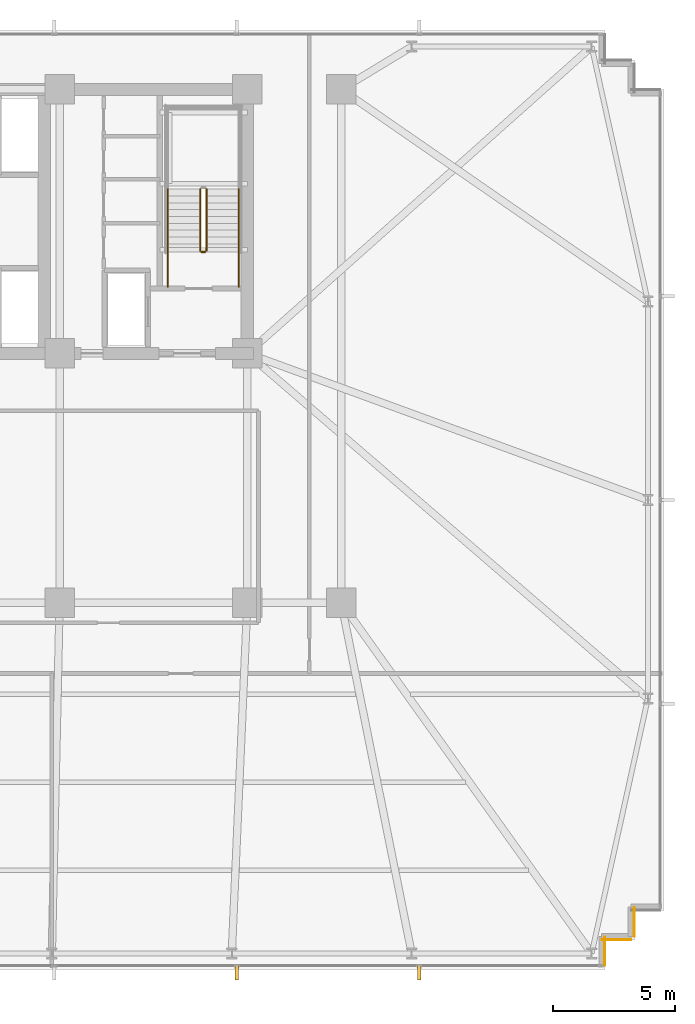
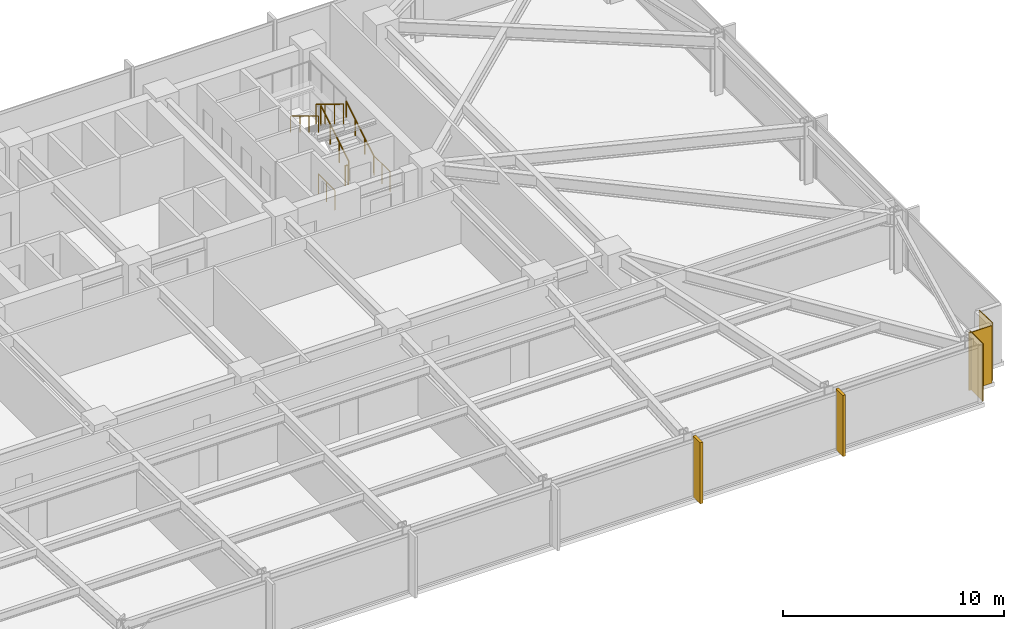
# One storey, part 29 of 32: 7 railings, 3 coverings, 2 shading devices.
"""IFC4 building model written with IfcOpenShell, lengths in metres."""

from ifc_helpers import new_model, si_unit, direction, frame, frame_2d, origin, origin_2d, place, context, subcontext, project, spatial, rectangle, circle, extrude, material, layer, layer_set, type_object, element, save


model = new_model("IFC4")

# Units and contexts
model_context = context("Model", 3, precision=1e-05, world=origin(), true_north=direction((0.0, 1.0)))
body_context = subcontext(model_context, "Body", "Model", "MODEL_VIEW")
ifc_project = project(units=[si_unit("LENGTHUNIT", "METRE"), si_unit("AREAUNIT", "SQUARE_METRE"), si_unit("VOLUMEUNIT", "CUBIC_METRE"), si_unit("PLANEANGLEUNIT", "RADIAN"), si_unit("MASSUNIT", "GRAM", prefix="KILO")], contexts=[model_context])

# Site, building, storey
site_placement = place(None, origin())
site = spatial("IfcSite", under=ifc_project, at=site_placement, CompositionType="ELEMENT")
building_placement = place(site_placement, origin())
building = spatial("IfcBuilding", under=site, at=building_placement, Name="Yelkora Congress Tower", CompositionType="ELEMENT")
storey_placement = place(building_placement, frame((0.0, 0.0, 50.800048828125)))
storey = spatial("IfcBuildingStorey", under=building, at=storey_placement, Name="L12", CompositionType="ELEMENT", Elevation=50.800048828125)

# Coverings
ifc_material_1 = material(Name="Anatolian bush-hammered limestone", Category="masonry")
ifc_layer_1 = layer(ifc_material_1, 0.0400390625)
ifc_layer_set_1 = layer_set([ifc_layer_1], Name="Anatolian bush-hammered limestone")
covering_type = type_object("IfcCoveringType", Name="COV-CLAD-SPANDREL-40", PredefinedType="CLADDING", material=ifc_layer_set_1)
for number, where, z_axis, x_axis, name in (
    (1, (69.594970703125, 12.739990234375, 0.0), (0.0, 0.0, 1.0), (0.0, -1.0, 0.0), "L12 Anatolian Limestone Cladding EW-L12-SR17"),
    (2, (69.4599609375, 11.405029296875, 0.0), (0.0, 0.0, 1.0), (-1.0, 0.0, 0.0), "L12 Anatolian Limestone Cladding EW-L12-SR18"),
    (3, (68.39501953125, 11.5400390625, 0.0), (0.0, 0.0, 1.0), (0.0, -1.0, 0.0), "L12 Anatolian Limestone Cladding EW-L12-SR19"),
):
    element("IfcCovering", number, at=place(storey_placement, frame(where, z_axis=z_axis, x_axis=x_axis)), inside=storey, type_object=covering_type, Name=name, PredefinedType="CLADDING", context=body_context, shape_type="SweptSolid", body=[
        extrude(rectangle(XDim=1.199951171875, YDim=0.0400390625, at=frame_2d((0.60009765625, 0.0))), origin(), (0.0, 0.0, 1.0), 3.179931640625),
    ])

# Railings
ifc_material_2 = material(Name="Painted galvanised steel stair well guard with vertical infill", Category="steel")
ifc_layer_2 = layer(ifc_material_2, 0.06005859375)
ifc_layer_set_2 = layer_set([ifc_layer_2], Name="Painted galvanised steel stair well guard with vertical infill")
railing_type_1 = type_object("IfcRailingType", Name="RAIL-STAIR-GUARD-1120", PredefinedType="GUARDRAIL", material=ifc_layer_set_2)
railing_1_placement = place(storey_placement, frame((52.090087890625, 39.60009765625, 0.169921875)))
element("IfcRailing", 4, at=railing_1_placement, inside=storey, type_object=railing_type_1, Name="ST-02 L12 Stair Well Guardrail 1", PredefinedType="GUARDRAIL", context=body_context, shape_type="SweptSolid", body=[
    extrude(circle(Radius=0.02392578125, at=origin_2d()), frame((0.0, 0.0, 1.09619140625), z_axis=(0.0, 0.85478489116, 0.518982456201), x_axis=(-1.0, 0.0, 0.0)), (0.0, 0.0, 1.0), 2.9482421875),
    extrude(circle(Radius=0.02099609375, at=origin_2d()), origin(), (0.0, 0.0, 1.0), 1.072021484375),
    extrude(circle(Radius=0.02099609375, at=origin_2d()), frame((0.0, 0.840087890625, 0.510009765625)), (0.0, 0.0, 1.0), 1.072021484375),
    extrude(circle(Radius=0.02099609375, at=origin_2d()), frame((0.0, 1.679931640625, 1.02001953125)), (0.0, 0.0, 1.0), 1.072021484375),
    extrude(circle(Radius=0.02099609375, at=origin_2d()), frame((0.0, 2.52001953125, 1.530029296875)), (0.0, 0.0, 1.0), 1.072021484375),
])
railing_2_placement = place(storey_placement, frame((51.830078125, 42.1201171875, 1.869873046875)))
element("IfcRailing", 5, at=railing_2_placement, inside=storey, type_object=railing_type_1, Name="ST-02 L12 Stair Well Guardrail 6", PredefinedType="GUARDRAIL", context=body_context, shape_type="SweptSolid", body=[
    extrude(circle(Radius=0.02392578125, at=origin_2d()), frame((0.0, 0.0, 1.09619140625), z_axis=(0.0, -0.85478489116, 0.518982456201), x_axis=(1.0, 0.0, 0.0)), (0.0, 0.0, 1.0), 2.9482421875),
    extrude(circle(Radius=0.02099609375, at=origin_2d()), origin(), (0.0, 0.0, 1.0), 1.072021484375),
    extrude(circle(Radius=0.02099609375, at=origin_2d()), frame((0.0, -0.840087890625, 0.510009765625)), (0.0, 0.0, 1.0), 1.072021484375),
    extrude(circle(Radius=0.02099609375, at=origin_2d()), frame((0.0, -1.679931640625, 1.02001953125)), (0.0, 0.0, 1.0), 1.072021484375),
    extrude(circle(Radius=0.02099609375, at=origin_2d()), frame((0.0, -2.52001953125, 1.530029296875)), (0.0, 0.0, 1.0), 1.072021484375),
])
railing_3_placement = place(storey_placement, frame((52.0400390625, 39.550048828125, 0.0)))
element("IfcRailing", 6, at=railing_3_placement, inside=storey, type_object=railing_type_1, Name="ST-02 L12 Stair Well Guardrail 7", PredefinedType="GUARDRAIL", context=body_context, shape_type="SweptSolid", body=[
    extrude(circle(Radius=0.02392578125, at=origin_2d()), frame((0.0, 0.0, 1.09619140625), z_axis=(-1.0, 0.0, 0.0), x_axis=(0.0, -1.0, 0.0)), (0.0, 0.0, 1.0), 0.16015625),
    extrude(circle(Radius=0.02099609375, at=origin_2d()), origin(), (0.0, 0.0, 1.0), 1.072021484375),
    extrude(circle(Radius=0.02099609375, at=origin_2d()), frame((-0.16015625, 0.0, 0.0)), (0.0, 0.0, 1.0), 1.072021484375),
])
for number, where, name in (
    (7, (53.409912109375, 38.1201171875, 0.0), "ST-02 L12 Stair Well Guardrail 8"),
    (8, (50.510009765625, 38.1201171875, 0.0), "ST-02 L12 Stair Well Guardrail 9"),
):
    element("IfcRailing", number, at=place(storey_placement, frame(where)), inside=storey, type_object=railing_type_1, Name=name, PredefinedType="GUARDRAIL", context=body_context, shape_type="SweptSolid", body=[
        extrude(circle(Radius=0.02392578125, at=origin_2d()), frame((0.0, 0.0, 1.09619140625), z_axis=(0.0, 1.0, 0.0), x_axis=(-1.0, 0.0, 0.0)), (0.0, 0.0, 1.0), 1.47998046875),
        extrude(circle(Radius=0.02099609375, at=origin_2d()), origin(), (0.0, 0.0, 1.0), 1.072021484375),
        extrude(circle(Radius=0.02099609375, at=origin_2d()), frame((0.0, 0.739990234375, 0.0)), (0.0, 0.0, 1.0), 1.072021484375),
        extrude(circle(Radius=0.02099609375, at=origin_2d()), frame((0.0, 1.47998046875, 0.0)), (0.0, 0.0, 1.0), 1.072021484375),
    ])
ifc_material_3 = material(Name="Brushed stainless steel tubular handrail", Category="steel")
ifc_layer_3 = layer(ifc_material_3, 0.050048828125)
ifc_layer_set_3 = layer_set([ifc_layer_3], Name="Brushed stainless steel tubular handrail")
railing_type_2 = type_object("IfcRailingType", Name="RAIL-STAIR-HAND-920", PredefinedType="HANDRAIL", material=ifc_layer_set_3)
railing_4_placement = place(storey_placement, frame((53.409912109375, 39.60009765625, 0.169921875)))
element("IfcRailing", 9, at=railing_4_placement, inside=storey, type_object=railing_type_2, Name="ST-02 L12 Pitch Handrail 1", PredefinedType="HANDRAIL", context=body_context, shape_type="SweptSolid", body=[
    extrude(circle(Radius=0.02392578125, at=origin_2d()), frame((0.0, 0.0, 0.89599609375), z_axis=(0.0, 0.85478489116, 0.518982456201), x_axis=(-1.0, 0.0, 0.0)), (0.0, 0.0, 1.0), 2.9482421875),
    extrude(circle(Radius=0.02099609375, at=origin_2d()), origin(), (0.0, 0.0, 1.0), 0.871826171875),
    extrude(circle(Radius=0.02099609375, at=origin_2d()), frame((0.0, 0.840087890625, 0.510009765625)), (0.0, 0.0, 1.0), 0.871826171875),
    extrude(circle(Radius=0.02099609375, at=origin_2d()), frame((0.0, 1.679931640625, 1.02001953125)), (0.0, 0.0, 1.0), 0.871826171875),
    extrude(circle(Radius=0.02099609375, at=origin_2d()), frame((0.0, 2.52001953125, 1.530029296875)), (0.0, 0.0, 1.0), 0.871826171875),
])
railing_5_placement = place(storey_placement, frame((50.510009765625, 42.1201171875, 1.869873046875)))
element("IfcRailing", 10, at=railing_5_placement, inside=storey, type_object=railing_type_2, Name="ST-02 L12 Pitch Handrail 2", PredefinedType="HANDRAIL", context=body_context, shape_type="SweptSolid", body=[
    extrude(circle(Radius=0.02392578125, at=origin_2d()), frame((0.0, 0.0, 0.89599609375), z_axis=(0.0, -0.85478489116, 0.518982456201), x_axis=(1.0, 0.0, 0.0)), (0.0, 0.0, 1.0), 2.9482421875),
    extrude(circle(Radius=0.02099609375, at=origin_2d()), origin(), (0.0, 0.0, 1.0), 0.871826171875),
    extrude(circle(Radius=0.02099609375, at=origin_2d()), frame((0.0, -0.840087890625, 0.510009765625)), (0.0, 0.0, 1.0), 0.871826171875),
    extrude(circle(Radius=0.02099609375, at=origin_2d()), frame((0.0, -1.679931640625, 1.02001953125)), (0.0, 0.0, 1.0), 0.871826171875),
    extrude(circle(Radius=0.02099609375, at=origin_2d()), frame((0.0, -2.52001953125, 1.530029296875)), (0.0, 0.0, 1.0), 0.871826171875),
])

# Shading devices
ifc_material_4 = material(Name="Champagne anodised aluminium", Category="aluminium")
ifc_layer_4 = layer(ifc_material_4, 3.39990234375)
ifc_layer_set_4 = layer_set([ifc_layer_4], Name="Champagne anodised aluminium")
shading_device_type = type_object("IfcShadingDeviceType", Name="SHD-FIN-ALU-640", PredefinedType="USERDEFINED", material=ifc_layer_set_4)
for number, where, z_axis, x_axis, name in (
    (11, (60.794921875, 10.080078125, -0.030029296875), (0.0, 0.0, 1.0), (-1.0, 0.0, 0.0), "L12 Vertical Anodised Solar Fin 20-1"),
    (12, (53.330078125, 10.080078125, -0.030029296875), (0.0, 0.0, 1.0), (-1.0, 0.0, 0.0), "L12 Vertical Anodised Solar Fin 20-2"),
):
    element("IfcShadingDevice", number, at=place(storey_placement, frame(where, z_axis=z_axis, x_axis=x_axis)), inside=storey, type_object=shading_device_type, Name=name, ObjectType="FIN", PredefinedType="USERDEFINED", context=body_context, shape_type="SweptSolid", body=[
        extrude(rectangle(XDim=0.139892578125, YDim=0.639892578125, at=origin_2d()), origin(), (0.0, 0.0, 1.0), 3.3798828125),
    ])

save(model, "model.ifc")
